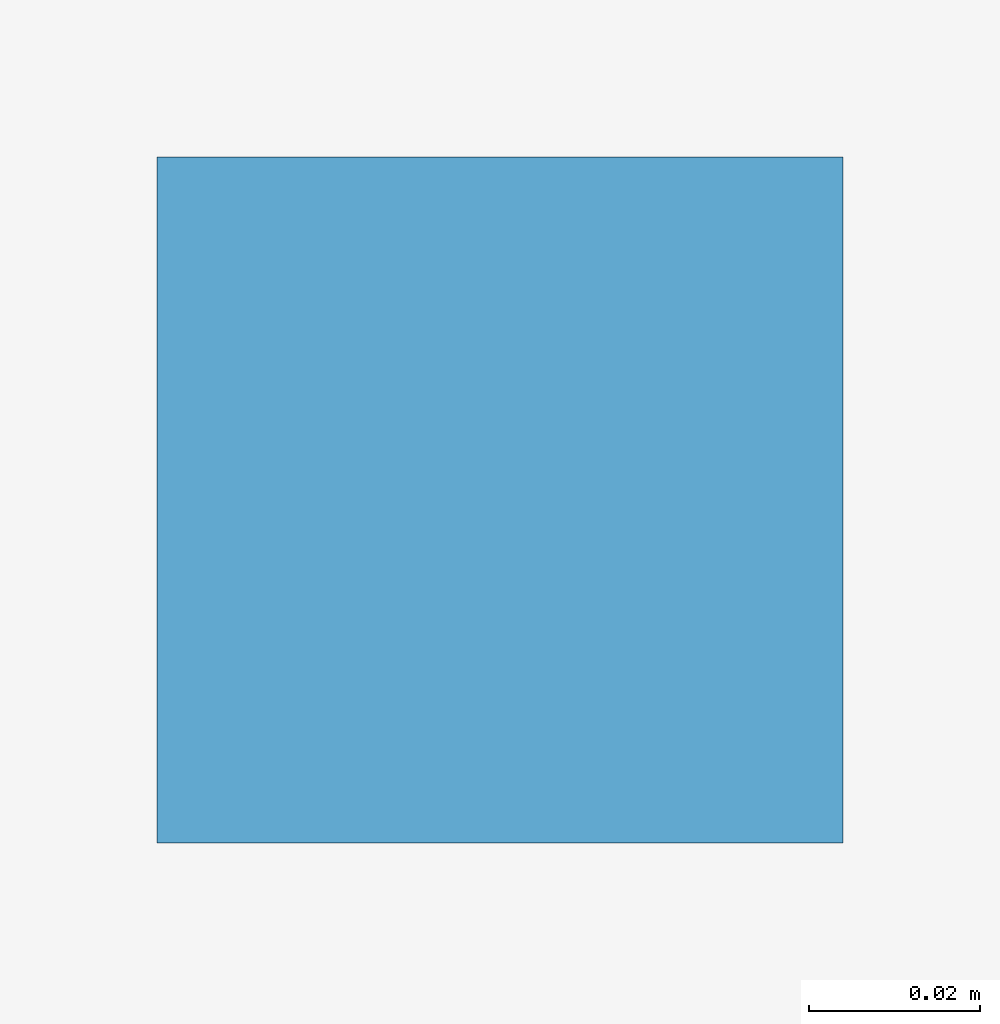
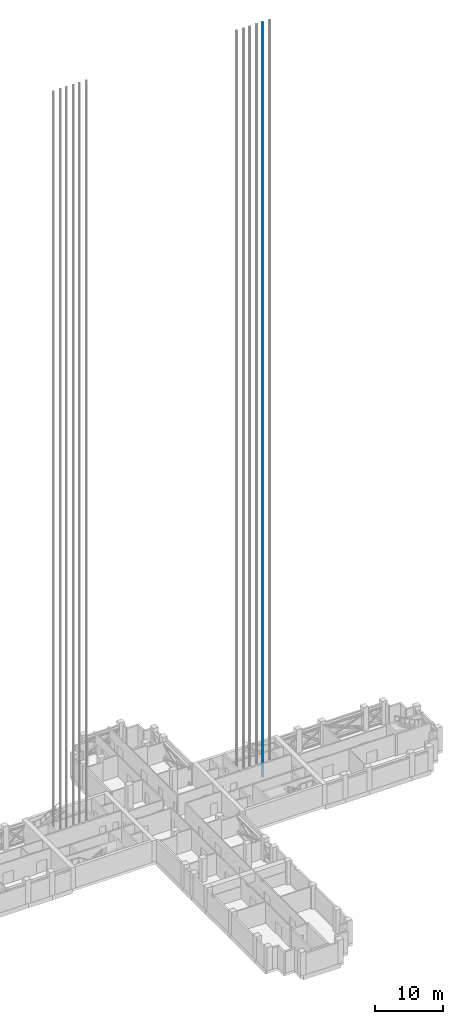
# One storey, part 20 of 22: 1 discrete accessory.
"""IFC4 building model written with IfcOpenShell, lengths in metres."""

from ifc_helpers import new_model, si_unit, direction, frame, origin, origin_2d, place, context, subcontext, project, spatial, rectangle, extrude, material, element, save


model = new_model("IFC4")

# Units and contexts
model_context = context("Model", 3, precision=1e-05, world=origin(), true_north=direction((0.0, 1.0)))
body_context = subcontext(model_context, "Body", "Model", "MODEL_VIEW")
ifc_project = project(units=[si_unit("LENGTHUNIT", "METRE"), si_unit("AREAUNIT", "SQUARE_METRE"), si_unit("VOLUMEUNIT", "CUBIC_METRE"), si_unit("PLANEANGLEUNIT", "RADIAN"), si_unit("MASSUNIT", "GRAM", prefix="KILO")], contexts=[model_context])

# Site, building, storey
site_placement = place(None, origin())
site = spatial("IfcSite", under=ifc_project, at=site_placement, CompositionType="ELEMENT")
building_placement = place(site_placement, origin())
building = spatial("IfcBuilding", under=site, at=building_placement, Name="Fustian Cross Tower", CompositionType="ELEMENT")
storey_placement = place(building_placement, frame((0.0, 0.0, 111.89990234375)))
storey = spatial("IfcBuildingStorey", under=building, at=storey_placement, Name="L35", CompositionType="ELEMENT", Elevation=111.89990234375)

# Discrete accessory
ifc_material = material(Name="Steel S355", Category="steel")
discrete_accessory_placement = place(storey_placement, frame((17.074951171875, 3.7099609375, 0.0), z_axis=(0.0, 0.0, 1.0), x_axis=(1.0, 0.0, 0.0)))
element("IfcDiscreteAccessory", 1, at=discrete_accessory_placement, inside=storey, material=ifc_material, Name="Lift guide rail HR3 1", PredefinedType="NOTDEFINED", context=body_context, shape_type="SweptSolid", body=[
    extrude(rectangle(XDim=0.080078125, YDim=0.080078125, at=origin_2d()), origin(), (0.0, 0.0, 1.0), 134.60009765625),
])

save(model, "model.ifc")
